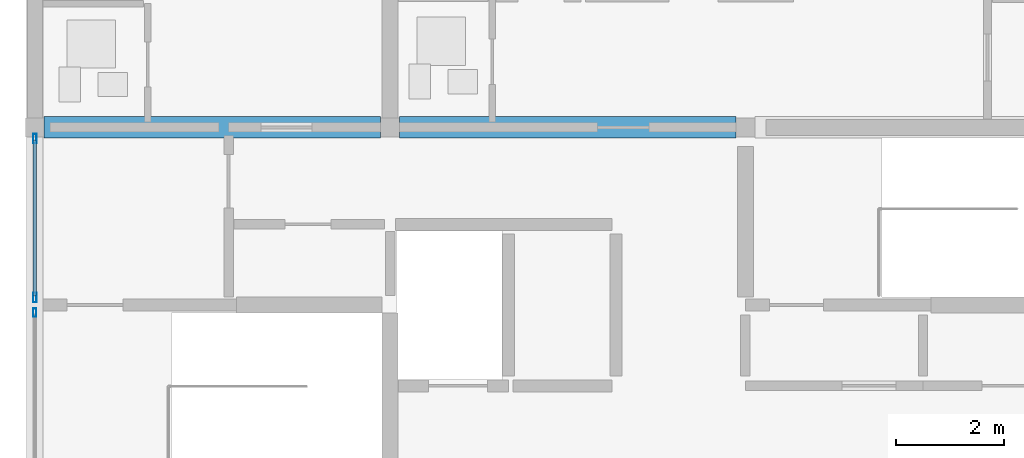
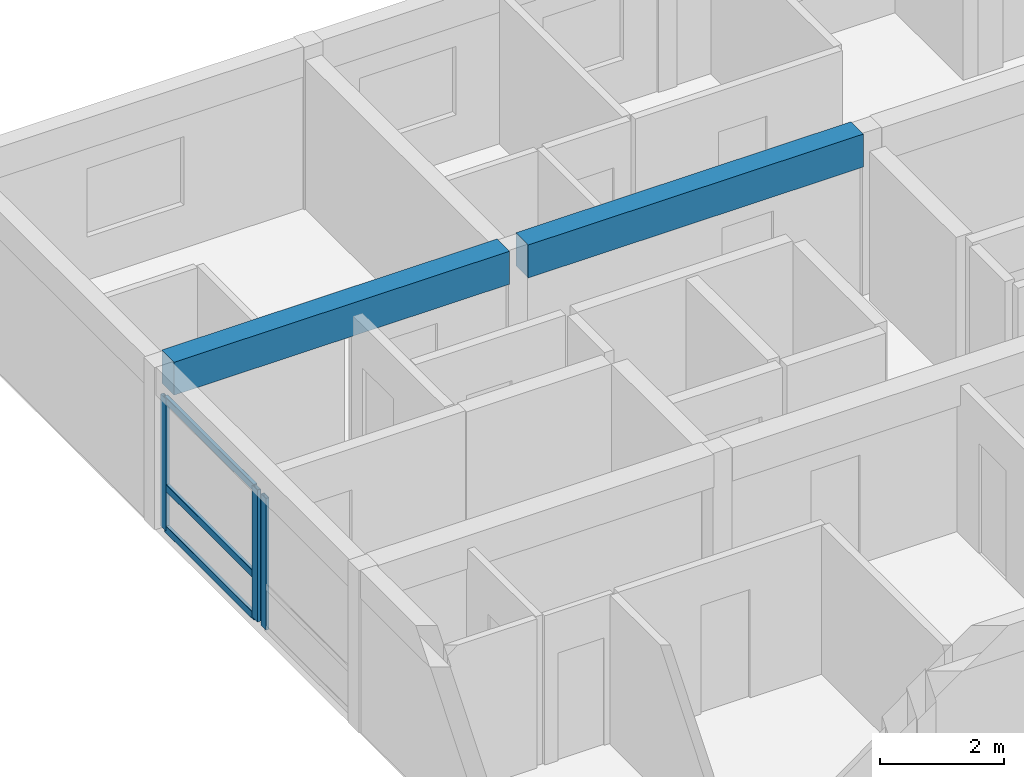
# One storey, part 7 of 49: 6 members, 2 beams, 2 elements without a shape of their own.
"""IFC4 building model written with IfcOpenShell, lengths in metres."""

import ifcopenshell
import ifcopenshell.guid

model = None  # the IFC model being written
_history = None  # IfcOwnerHistory: only IFC2X3 demands one
_inside = {}  # id of a spatial element -> (the spatial element, [elements in it])
_under = {}  # id of a project, library or spatial element -> (it, [spatial elements below it])
_declared = {}  # id of a project -> (the project, [libraries it declares])
_typed = {}  # id of a type object -> (the type object, [elements of that type])
_made_of = {}  # id of a material, layer set ... -> (it, [elements and type objects made of it])


def new_model(schema):
    """Start an empty IFC model of exactly this schema.

    Asked for "IFC4X3", IfcOpenShell would pick the latest addendum, in which some entities
    have other attributes; the version numbers below select the first issue.
    IFC2X3 requires an IfcOwnerHistory on every rooted entity: one is made here for all.
    """
    global model, _history
    if schema == "IFC4X3":
        model = ifcopenshell.file(schema_version=(4, 3, 0, 0))
    else:
        model = ifcopenshell.file(schema=schema)
    _inside.clear()
    _under.clear()
    _declared.clear()
    _typed.clear()
    _made_of.clear()
    _history = None
    if model.schema == "IFC2X3":
        org = make("IfcOrganization", Name="unknown")
        user = make(
            "IfcPersonAndOrganization",
            ThePerson=make("IfcPerson", FamilyName="unknown"),
            TheOrganization=org,
        )
        app = make(
            "IfcApplication",
            ApplicationDeveloper=org,
            Version="unknown",
            ApplicationFullName="unknown",
            ApplicationIdentifier="unknown",
        )
        _history = make(
            "IfcOwnerHistory",
            OwningUser=user,
            OwningApplication=app,
            ChangeAction="ADDED",
            CreationDate=0,
        )
    return model


def make(cls, **values):
    """One entity of the class cls with the attributes given. An attribute that is None is left unset."""
    return model.create_entity(
        cls, **{name: value for name, value in values.items() if value is not None}
    )


def rooted(cls, **values):
    """An entity with a GlobalId (a new one), such as an element, a storey or a relation."""
    return make(cls, GlobalId=ifcopenshell.guid.new(), OwnerHistory=_history, **values)


def si_unit(unit_type, name, prefix=None):
    """IfcSIUnit, for example si_unit("LENGTHUNIT", "METRE", prefix="MILLI")."""
    return make("IfcSIUnit", UnitType=unit_type, Prefix=prefix, Name=name)


def assignment(units):
    """IfcUnitAssignment: the units of a project."""
    return None if units is None else make("IfcUnitAssignment", Units=units)


def point(xyz):
    """IfcCartesianPoint."""
    return None if xyz is None else make("IfcCartesianPoint", Coordinates=xyz)


def direction(xyz):
    """IfcDirection."""
    return None if xyz is None else make("IfcDirection", DirectionRatios=xyz)


def frame(location, z_axis=None, x_axis=None):
    """IfcAxis2Placement3D, a coordinate frame: its origin and axes. An axis left out is left unset."""
    return make(
        "IfcAxis2Placement3D",
        Location=point(location),
        Axis=direction(z_axis),
        RefDirection=direction(x_axis),
    )


def frame_2d(location, x_axis=None):
    """IfcAxis2Placement2D, a coordinate frame in the plane: its origin and x axis."""
    return make(
        "IfcAxis2Placement2D", Location=point(location), RefDirection=direction(x_axis)
    )


def origin():
    """The frame at (0, 0, 0) with its axes left unset."""
    return frame((0.0, 0.0, 0.0))


def origin_2d():
    """The frame at (0, 0) in the plane with its x axis left unset."""
    return frame_2d((0.0, 0.0))


def place(relative_to, where):
    """IfcLocalPlacement: puts the frame where relative to a parent placement (None: the world)."""
    return make(
        "IfcLocalPlacement", PlacementRelTo=relative_to, RelativePlacement=where
    )


def context(
    kind, dimensions, precision=None, world=None, true_north=None, identifier=None
):
    """IfcGeometricRepresentationContext, for example the 3D "Model" context."""
    return make(
        "IfcGeometricRepresentationContext",
        ContextIdentifier=identifier,
        ContextType=kind,
        CoordinateSpaceDimension=dimensions,
        Precision=precision,
        WorldCoordinateSystem=world,
        TrueNorth=true_north,
    )


def subcontext(parent, identifier, kind, view, scale=None):
    """IfcGeometricRepresentationSubContext, for example "Body" below "Model"."""
    return make(
        "IfcGeometricRepresentationSubContext",
        ContextIdentifier=identifier,
        ContextType=kind,
        ParentContext=parent,
        TargetScale=scale,
        TargetView=view,
    )


def project(units=None, contexts=None):
    """IfcProject with its units and contexts."""
    return rooted(
        "IfcProject",
        Name="project",
        RepresentationContexts=contexts,
        UnitsInContext=assignment(units),
    )


def spatial(cls, under=None, at=None, **own):
    """A site, building, storey or space (cls), placed at a placement, below another one or the project."""
    s = rooted(cls, ObjectPlacement=at, **own)
    if under is not None:
        _under.setdefault(under.id(), (under, []))[1].append(s)
    return s


def profile(cls, at=None, kind="AREA", **sizes):
    """A parametric profile (cls). Its sizes go by their IFC names, for example OverallWidth=200.0."""
    return make(cls, ProfileType=kind, Position=at, **sizes)


def rectangle(**sizes):
    """IfcRectangleProfileDef."""
    return profile("IfcRectangleProfileDef", **sizes)


def hollow_rectangle(**sizes):
    """IfcRectangleHollowProfileDef."""
    return profile("IfcRectangleHollowProfileDef", **sizes)


def extrude(swept, where, along, depth):
    """IfcExtrudedAreaSolid: the profile swept, set in the frame where, extruded along a direction by depth."""
    return make(
        "IfcExtrudedAreaSolid",
        SweptArea=swept,
        Position=where,
        ExtrudedDirection=direction(along),
        Depth=depth,
    )


def shape(context_of_items, identifier, shape_type, items):
    """IfcShapeRepresentation: the items that make up one representation, for example the "Body"."""
    return make(
        "IfcShapeRepresentation",
        ContextOfItems=context_of_items,
        RepresentationIdentifier=identifier,
        RepresentationType=shape_type,
        Items=items,
    )


def material(Name=None, Category=None):
    """IfcMaterial."""
    return make("IfcMaterial", Name=Name, Category=Category)


def material_profile(
    of_material, cross_section, Name=None, Category=None, Priority=None
):
    """IfcMaterialProfile: a cross section and its material."""
    return make(
        "IfcMaterialProfile",
        Name=Name,
        Material=of_material,
        Profile=cross_section,
        Priority=Priority,
        Category=Category,
    )


def profile_set(profiles, Name=None, composite=None):
    """IfcMaterialProfileSet."""
    return make(
        "IfcMaterialProfileSet",
        Name=Name,
        MaterialProfiles=profiles,
        CompositeProfile=composite,
    )


def made_of(thing, what):
    """Note that an element or type object is made of a material, layer set ...; save() writes the relation."""
    if what is not None:
        _made_of.setdefault(what.id(), (what, []))[1].append(thing)
    return thing


def type_object(cls, material=None, **own):
    """A type object (cls), such as IfcWallType, which elements share."""
    return made_of(rooted(cls, **own), material)


def element(
    cls,
    number,
    at=None,
    inside=None,
    cuts=None,
    type_object=None,
    material=None,
    context=None,
    identifier="Body",
    shape_type=None,
    held_by="IfcProductDefinitionShape",
    body=None,
    shapes=None,
    **own,
):
    """One element of the class cls, such as IfcWall. Its Tag is "e" and its number.

    at: its placement. inside: the storey or other place that contains it. cuts: it is an
    opening in that element (IfcRelVoidsElement). A single representation is given by context,
    identifier, shape_type and body (its items); several are given by shapes. held_by: the class
    of the entity that holds the representations. save() writes the other relations.
    """
    e = rooted(cls, Tag="e%d" % number, ObjectPlacement=at, **own)
    if body is not None:
        shapes = [shape(context, identifier, shape_type, body)]
    if shapes is not None:
        e.Representation = make(held_by, Representations=shapes)
    if inside is not None:
        _inside.setdefault(inside.id(), (inside, []))[1].append(e)
    if cuts is not None:
        rooted(
            "IfcRelVoidsElement", RelatingBuildingElement=cuts, RelatedOpeningElement=e
        )
    if type_object is not None:
        _typed.setdefault(type_object.id(), (type_object, []))[1].append(e)
    return made_of(e, material)


def aggregate(whole, parts):
    """IfcRelAggregates: a whole, such as a stair, and the parts it consists of."""
    return rooted("IfcRelAggregates", RelatingObject=whole, RelatedObjects=parts)


def save(model, path):
    """Write the relations noted so far, then the file.

    IfcRelAggregates (storeys below a building ...), IfcRelContainedInSpatialStructure (elements
    in a storey), IfcRelDefinesByType, IfcRelAssociatesMaterial and IfcRelDeclares: one each for
    every whole, place, type object, material and project.
    """
    for whole, parts in _under.values():
        aggregate(whole, parts)
    for where, things in _inside.values():
        rooted(
            "IfcRelContainedInSpatialStructure",
            RelatedElements=things,
            RelatingStructure=where,
        )
    for kind, things in _typed.values():
        rooted("IfcRelDefinesByType", RelatedObjects=things, RelatingType=kind)
    for what, things in _made_of.values():
        rooted("IfcRelAssociatesMaterial", RelatedObjects=things, RelatingMaterial=what)
    for by, libraries in _declared.values():
        rooted("IfcRelDeclares", RelatingContext=by, RelatedDefinitions=libraries)
    model.write(path)


model = new_model("IFC4")

# Units and contexts
model_context = context("Model", 3, precision=1e-05, world=origin(), true_north=direction((0.0, 1.0)))
body_context = subcontext(model_context, "Body", "Model", "MODEL_VIEW")
ifc_project = project(units=[si_unit("LENGTHUNIT", "METRE"), si_unit("AREAUNIT", "SQUARE_METRE"), si_unit("VOLUMEUNIT", "CUBIC_METRE"), si_unit("PLANEANGLEUNIT", "RADIAN"), si_unit("MASSUNIT", "GRAM", prefix="KILO")], contexts=[model_context])

# Site, building, storey
site_placement = place(None, origin())
site = spatial("IfcSite", under=ifc_project, at=site_placement, CompositionType="ELEMENT")
building_placement = place(site_placement, origin())
building = spatial("IfcBuilding", under=site, at=building_placement, Name="Kernevlak Ridge Housing Community", CompositionType="ELEMENT")
storey_placement = place(building_placement, frame((0.0, 0.0, 30.800048828125)))
storey = spatial("IfcBuildingStorey", under=building, at=storey_placement, Name="L09", CompositionType="ELEMENT", Elevation=30.800048828125)

# Beams
ifc_material_1 = material(Name="Concrete C35/45", Category="concrete")
ifc_material_profile_1 = material_profile(ifc_material_1, rectangle(XDim=0.39990234375, YDim=0.64990234375, at=origin_2d()), Name="RC 400x650")
ifc_profile_set_1 = profile_set([ifc_material_profile_1], Name="Concrete C35/45")
beam_type = type_object("IfcBeamType", Name="B-03", PredefinedType="T_BEAM", material=ifc_profile_set_1)
for number, where, z_axis, x_axis, name in (
    (1, (15.77490234375, 28.800048828125, 2.875), (1.0, 0.0, 0.0), (0.0, 1.0, 0.0), "Beam B-03 L09 1521"),
    (2, (22.375, 28.800048828125, 2.875), (1.0, 0.0, 0.0), (0.0, 1.0, 0.0), "Beam B-03 L09 1522"),
):
    element("IfcBeam", number, at=place(storey_placement, frame(where, z_axis=z_axis, x_axis=x_axis)), inside=storey, type_object=beam_type, Name=name, PredefinedType="T_BEAM", context=body_context, shape_type="SweptSolid", body=[
        extrude(rectangle(XDim=0.39990234375, YDim=0.64990234375, at=origin_2d()), origin(), (0.0, 0.0, 1.0), 6.25),
    ])

# Curtain wall, member
ifc_material_2 = material(Name="Aluminium EN AW-6060 anodised and laminated glass", Category="aluminium")
curtain_wall_type_1 = type_object("IfcCurtainWallType", Name="CW-10", PredefinedType="NOTDEFINED", material=ifc_material_2)
curtain_wall_1_placement = place(storey_placement, origin())
curtain_wall_1 = element("IfcCurtainWall", 3, at=curtain_wall_1_placement, inside=storey, type_object=curtain_wall_type_1, Name="Curtain wall CW-10 CW-L09-166", PredefinedType="NOTDEFINED")
ifc_material_3 = material(Name="Aluminium EN AW-6060 anodised", Category="aluminium")
ifc_material_profile_2 = material_profile(ifc_material_3, hollow_rectangle(XDim=0.06005859375, YDim=0.159912109375, WallThickness=0.00390625, InnerFilletRadius=0.001953125, OuterFilletRadius=0.00390625, at=origin_2d()), Name="ALU 60x160x4")
ifc_profile_set_2 = profile_set([ifc_material_profile_2], Name="Aluminium EN AW-6060 anodised")
member_type_1 = type_object("IfcMemberType", Name="MU-02", PredefinedType="MULLION", material=ifc_profile_set_2)
member_1_placement = place(storey_placement, frame((15.60009765625, 25.360107421875, 0.0), z_axis=(0.0, 0.0, 1.0), x_axis=(-1.0, 0.0, 0.0)))
member_1 = element("IfcMember", 4, at=member_1_placement, type_object=member_type_1, Name="CW-10 mullion 2", PredefinedType="MULLION", context=body_context, shape_type="SweptSolid", body=[
    extrude(hollow_rectangle(XDim=0.06005859375, YDim=0.159912109375, WallThickness=0.00390625, InnerFilletRadius=0.001953125, OuterFilletRadius=0.00390625, at=origin_2d()), origin(), (0.0, 0.0, 1.0), 2.599853515625),
])
aggregate(curtain_wall_1, [member_1])

# Curtain wall, members
curtain_wall_type_2 = type_object("IfcCurtainWallType", Name="CW-02", PredefinedType="NOTDEFINED", material=ifc_material_2)
curtain_wall_2_placement = place(storey_placement, origin())
curtain_wall_2 = element("IfcCurtainWall", 5, at=curtain_wall_2_placement, inside=storey, type_object=curtain_wall_type_2, Name="Curtain wall CW-02 CW-L09-167", PredefinedType="NOTDEFINED")
ifc_material_profile_3 = material_profile(ifc_material_3, hollow_rectangle(XDim=0.06494140625, YDim=0.179931640625, WallThickness=0.00439453125, InnerFilletRadius=0.001953125, OuterFilletRadius=0.00439453125, at=origin_2d()), Name="ALU 65x180x4.5")
ifc_profile_set_3 = profile_set([ifc_material_profile_3], Name="Aluminium EN AW-6060 anodised")
member_type_2 = type_object("IfcMemberType", Name="MU-03", PredefinedType="MULLION", material=ifc_profile_set_3)
member_2_placement = place(storey_placement, frame((15.60009765625, 25.642578125, 0.0), z_axis=(0.0, 0.0, 1.0), x_axis=(-1.0, 0.0, 0.0)))
member_2 = element("IfcMember", 6, at=member_2_placement, type_object=member_type_2, Name="CW-02 mullion 1", PredefinedType="MULLION", context=body_context, shape_type="SweptSolid", body=[
    extrude(hollow_rectangle(XDim=0.06494140625, YDim=0.179931640625, WallThickness=0.00439453125, InnerFilletRadius=0.001953125, OuterFilletRadius=0.00439453125, at=origin_2d()), origin(), (0.0, 0.0, 1.0), 2.599853515625),
])
member_3_placement = place(storey_placement, frame((15.60009765625, 28.592529296875, 0.0), z_axis=(0.0, 0.0, 1.0), x_axis=(-1.0, 0.0, 0.0)))
member_3 = element("IfcMember", 7, at=member_3_placement, type_object=member_type_2, Name="CW-02 mullion 2", PredefinedType="MULLION", context=body_context, shape_type="SweptSolid", body=[
    extrude(hollow_rectangle(XDim=0.06494140625, YDim=0.179931640625, WallThickness=0.00439453125, InnerFilletRadius=0.001953125, OuterFilletRadius=0.00439453125, at=origin_2d()), origin(), (0.0, 0.0, 1.0), 2.599853515625),
])
ifc_material_profile_4 = material_profile(ifc_material_3, hollow_rectangle(XDim=0.06494140625, YDim=0.139892578125, WallThickness=0.00390625, InnerFilletRadius=0.001953125, OuterFilletRadius=0.00390625, at=origin_2d()), Name="ALU 65x140x4")
ifc_profile_set_4 = profile_set([ifc_material_profile_4], Name="Aluminium EN AW-6060 anodised")
member_type_3 = type_object("IfcMemberType", Name="TM-03", PredefinedType="USERDEFINED", material=ifc_profile_set_4)
member_4_placement = place(storey_placement, frame((15.60009765625, 25.675048828125, 0.032470703125), z_axis=(0.0, 1.0, 0.0), x_axis=(-1.0, 0.0, 0.0)))
member_4 = element("IfcMember", 8, at=member_4_placement, type_object=member_type_3, Name="CW-02 transom 1.1", ObjectType="TRANSOM", PredefinedType="USERDEFINED", context=body_context, shape_type="SweptSolid", body=[
    extrude(hollow_rectangle(XDim=0.06494140625, YDim=0.139892578125, WallThickness=0.00390625, InnerFilletRadius=0.001953125, OuterFilletRadius=0.00390625, at=origin_2d()), origin(), (0.0, 0.0, 1.0), 2.885009765625),
])
member_5_placement = place(storey_placement, frame((15.60009765625, 25.675048828125, 0.849853515625), z_axis=(0.0, 1.0, 0.0), x_axis=(-1.0, 0.0, 0.0)))
member_5 = element("IfcMember", 9, at=member_5_placement, type_object=member_type_3, Name="CW-02 transom 1.2", ObjectType="TRANSOM", PredefinedType="USERDEFINED", context=body_context, shape_type="SweptSolid", body=[
    extrude(hollow_rectangle(XDim=0.06494140625, YDim=0.139892578125, WallThickness=0.00390625, InnerFilletRadius=0.001953125, OuterFilletRadius=0.00390625, at=origin_2d()), origin(), (0.0, 0.0, 1.0), 2.885009765625),
])
member_6_placement = place(storey_placement, frame((15.60009765625, 25.675048828125, 2.5673828125), z_axis=(0.0, 1.0, 0.0), x_axis=(-1.0, 0.0, 0.0)))
member_6 = element("IfcMember", 10, at=member_6_placement, type_object=member_type_3, Name="CW-02 transom 1.3", ObjectType="TRANSOM", PredefinedType="USERDEFINED", context=body_context, shape_type="SweptSolid", body=[
    extrude(hollow_rectangle(XDim=0.06494140625, YDim=0.139892578125, WallThickness=0.00390625, InnerFilletRadius=0.001953125, OuterFilletRadius=0.00390625, at=origin_2d()), origin(), (0.0, 0.0, 1.0), 2.885009765625),
])
aggregate(curtain_wall_2, [member_2, member_3, member_4, member_5, member_6])

save(model, "model.ifc")
